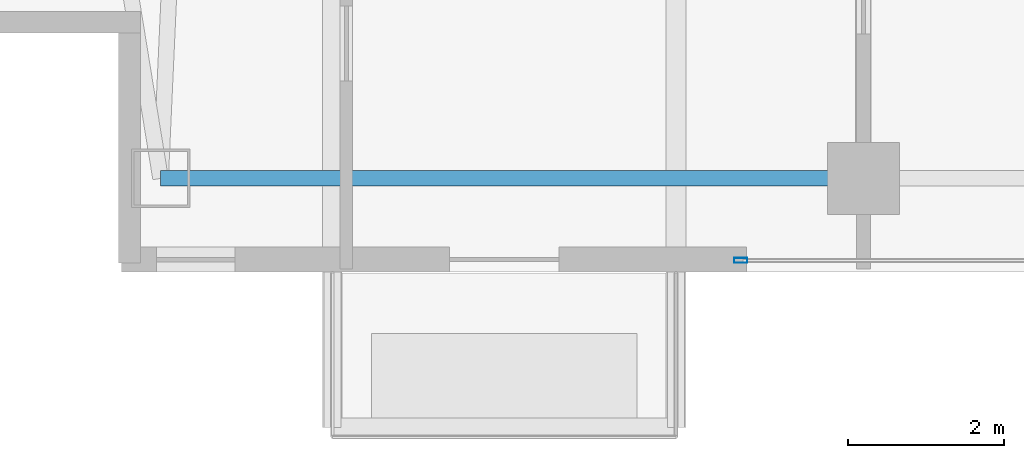
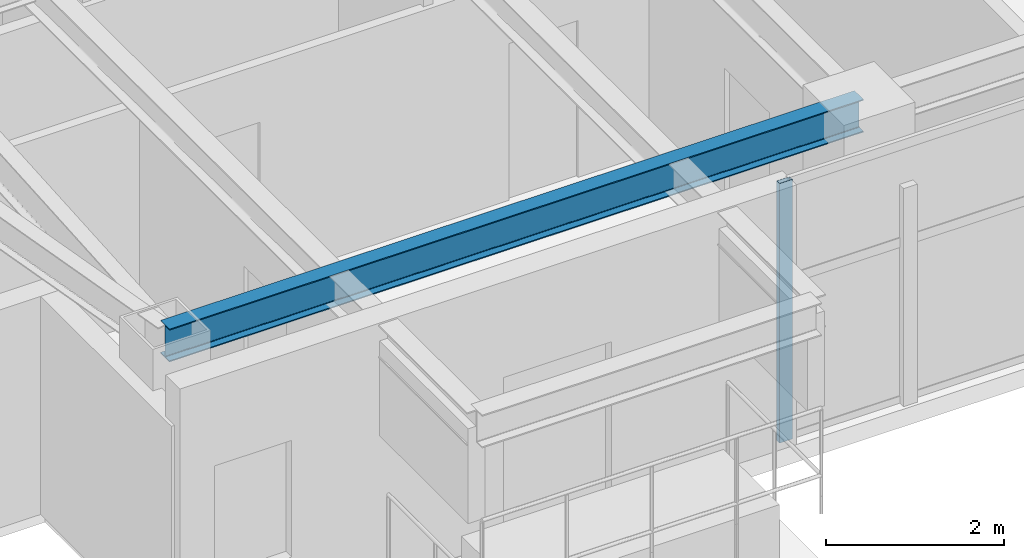
# One storey, part 3 of 29: 1 beam, 1 member, 1 element without a shape of its own.
"""IFC4 building model written with IfcOpenShell, lengths in metres."""

from ifc_helpers import new_model, si_unit, direction, frame, origin, origin_2d, place, context, subcontext, project, spatial, hollow_rectangle, i_section, extrude, material, layer, layer_set, material_profile, profile_set, type_object, element, aggregate, save


model = new_model("IFC4")

# Units and contexts
model_context = context("Model", 3, precision=1e-05, world=origin(), true_north=direction((0.0, 1.0)))
body_context = subcontext(model_context, "Body", "Model", "MODEL_VIEW")
ifc_project = project(units=[si_unit("LENGTHUNIT", "METRE"), si_unit("AREAUNIT", "SQUARE_METRE"), si_unit("VOLUMEUNIT", "CUBIC_METRE"), si_unit("PLANEANGLEUNIT", "RADIAN"), si_unit("MASSUNIT", "GRAM", prefix="KILO")], contexts=[model_context])

# Site, building, storey
site_placement = place(None, origin())
site = spatial("IfcSite", under=ifc_project, at=site_placement, CompositionType="ELEMENT")
building_placement = place(site_placement, origin())
building = spatial("IfcBuilding", under=site, at=building_placement, Name="Calvorn Quay Hotel", CompositionType="ELEMENT")
storey_placement = place(building_placement, frame((0.0, 0.0, 247.60009765625)))
storey = spatial("IfcBuildingStorey", under=building, at=storey_placement, Name="L61", CompositionType="ELEMENT", Elevation=247.60009765625)

# Beam
ifc_material_1 = material(Name="Steel Q355B", Category="steel")
ifc_material_profile_1 = material_profile(ifc_material_1, i_section(OverallWidth=0.199951171875, OverallDepth=0.449951171875, WebThickness=0.009033203125, FlangeThickness=0.013916015625, FilletRadius=0.01611328125, at=origin_2d()), Name="HN450x200x9x14")
ifc_profile_set_1 = profile_set([ifc_material_profile_1], Name="Steel Q355B")
beam_type = type_object("IfcBeamType", Name="BM-SPANDREL-Z3", PredefinedType="SPANDREL", material=ifc_profile_set_1)
beam_placement = place(storey_placement, frame((3.60009765625, 3.60009765625, 3.31494140625), z_axis=(1.0, 0.0, 0.0), x_axis=(0.0, 1.0, 0.0)))
element("IfcBeam", 1, at=beam_placement, inside=storey, type_object=beam_type, Name="Beam BSP-L61-S1", PredefinedType="SPANDREL", context=body_context, shape_type="SweptSolid", body=[
    extrude(i_section(OverallWidth=0.199951171875, OverallDepth=0.449951171875, WebThickness=0.009033203125, FlangeThickness=0.013916015625, FilletRadius=0.01611328125, at=origin_2d()), origin(), (0.0, 0.0, 1.0), 9.0),
])

# Curtain wall, member
ifc_material_2 = material(Name="Champagne Bronze Anodised Aluminium and Low-E Glass", Category="aluminium")
ifc_layer = layer(ifc_material_2, 0.219970703125)
ifc_layer_set = layer_set([ifc_layer], Name="CW-SYS-Z4")
curtain_wall_type = type_object("IfcCurtainWallType", Name="CW-SYS-Z4", PredefinedType="NOTDEFINED", material=ifc_layer_set)
curtain_wall_placement = place(storey_placement, origin())
curtain_wall = element("IfcCurtainWall", 2, at=curtain_wall_placement, inside=storey, type_object=curtain_wall_type, Name="Tower South Waterfront Curtain Wall (L61)", PredefinedType="NOTDEFINED")
ifc_material_3 = material(Name="Champagne Bronze Anodised Aluminium 6063-T6", Category="aluminium")
ifc_material_profile_2 = material_profile(ifc_material_3, hollow_rectangle(XDim=0.06494140625, YDim=0.169921875, WallThickness=0.00341796875, at=origin_2d()), Name="ALU-M170x65x3.5")
ifc_profile_set_2 = profile_set([ifc_material_profile_2], Name="Champagne Bronze Anodised Aluminium 6063-T6")
member_type = type_object("IfcMemberType", Name="CW-SYS-Z4-MUL", PredefinedType="MULLION", material=ifc_profile_set_2)
member_placement = place(storey_placement, frame((11.030029296875, 2.550048828125, 0.0), z_axis=(0.0, 0.0, 1.0), x_axis=(0.0, 1.0, 0.0)))
member = element("IfcMember", 3, at=member_placement, type_object=member_type, Name="CW-L61-S mullion 1", PredefinedType="MULLION", context=body_context, shape_type="SweptSolid", body=[
    extrude(hollow_rectangle(XDim=0.06494140625, YDim=0.169921875, WallThickness=0.00341796875, at=origin_2d()), origin(), (0.0, 0.0, 1.0), 3.559814453125),
])
aggregate(curtain_wall, [member])

save(model, "model.ifc")
